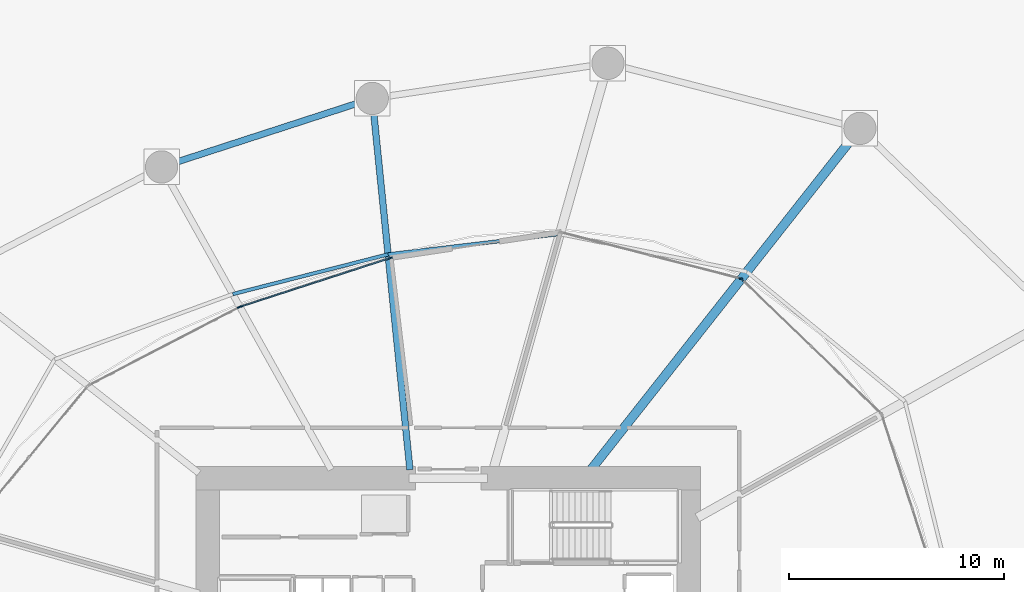
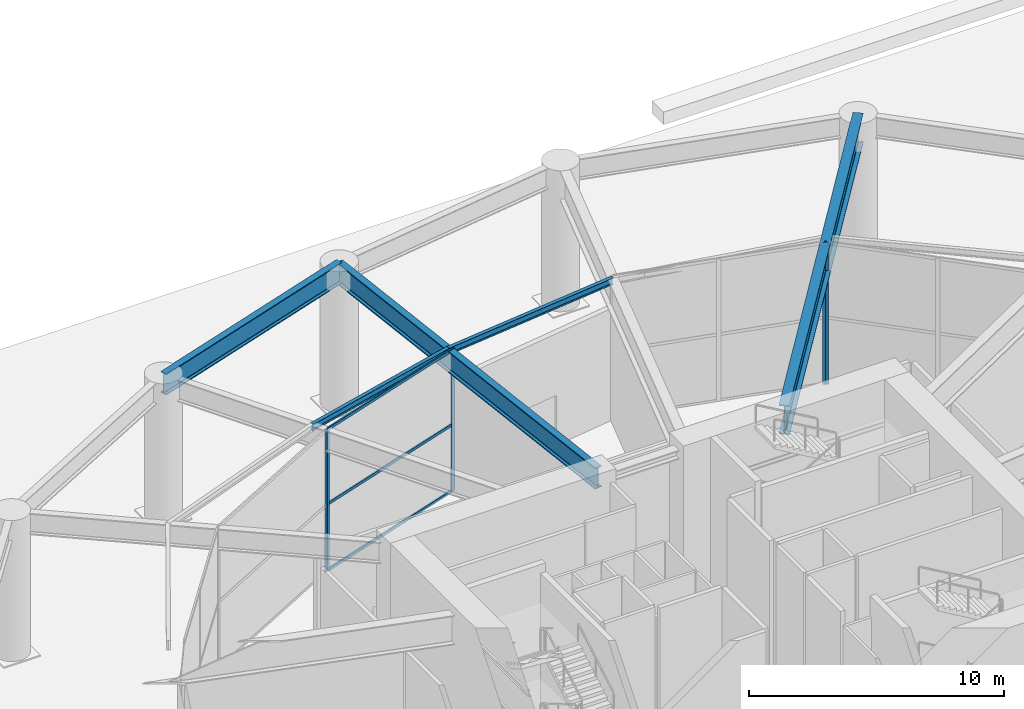
# One storey, part 12 of 28: 8 members, 5 beams, 4 elements without a shape of their own.
"""IFC4 building model written with IfcOpenShell, lengths in metres."""

from ifc_helpers import new_model, si_unit, direction, frame, origin, origin_2d, place, context, subcontext, project, spatial, rectangle, i_section, extrude, material, layer, layer_set, material_profile, profile_set, type_object, element, aggregate, save


model = new_model("IFC4")

# Units and contexts
model_context = context("Model", 3, precision=1e-05, world=origin(), true_north=direction((0.0, 1.0)))
body_context = subcontext(model_context, "Body", "Model", "MODEL_VIEW")
ifc_project = project(units=[si_unit("LENGTHUNIT", "METRE"), si_unit("AREAUNIT", "SQUARE_METRE"), si_unit("VOLUMEUNIT", "CUBIC_METRE"), si_unit("PLANEANGLEUNIT", "RADIAN"), si_unit("MASSUNIT", "GRAM", prefix="KILO")], contexts=[model_context])

# Site, building, storey
site_placement = place(None, origin())
site = spatial("IfcSite", under=ifc_project, at=site_placement, CompositionType="ELEMENT")
building_placement = place(site_placement, origin())
building = spatial("IfcBuilding", under=site, at=building_placement, Name="Kazma Halo Residences", CompositionType="ELEMENT")
storey_placement = place(building_placement, origin())
storey = spatial("IfcBuildingStorey", under=building, at=storey_placement, Name="L00", CompositionType="ELEMENT", Elevation=0.0)

# Beams
ifc_material_1 = material(Name="Steel S355", Category="steel")
ifc_material_profile_1 = material_profile(ifc_material_1, i_section(OverallWidth=0.1650390625, OverallDepth=0.31005859375, WebThickness=0.005859375, FlangeThickness=0.009765625, FilletRadius=0.011962890625, at=origin_2d()), Name="W310x38.7")
ifc_profile_set_1 = profile_set([ifc_material_profile_1], Name="Steel S355")
beam_type_1 = type_object("IfcBeamType", Name="BM-SEC-W310B", PredefinedType="JOIST", material=ifc_profile_set_1)
beam_1_placement = place(storey_placement, frame((53.61279296875, 61.901123046875, 6.64501953125), z_axis=(-0.993006946192, -0.118055939346, 0.0), x_axis=(0.118055939346, -0.993006946192, 0.0)))
element("IfcBeam", 1, at=beam_1_placement, inside=storey, type_object=beam_type_1, Name="L00 circumferential floor joist 03", PredefinedType="JOIST", context=body_context, shape_type="SweptSolid", body=[
    extrude(i_section(OverallWidth=0.1650390625, OverallDepth=0.31005859375, WebThickness=0.005859375, FlangeThickness=0.009765625, FilletRadius=0.011962890625, at=origin_2d()), origin(), (0.0, 0.0, 1.0), 8.0341796875),
])
beam_2_placement = place(storey_placement, frame((45.634765625, 60.95263671875, 6.64501953125), z_axis=(-0.968838753185, -0.247692289598, 0.0), x_axis=(0.247692289598, -0.968838753185, 0.0)))
element("IfcBeam", 2, at=beam_2_placement, inside=storey, type_object=beam_type_1, Name="L00 circumferential floor joist 04", PredefinedType="JOIST", context=body_context, shape_type="SweptSolid", body=[
    extrude(i_section(OverallWidth=0.1650390625, OverallDepth=0.31005859375, WebThickness=0.005859375, FlangeThickness=0.009765625, FilletRadius=0.011962890625, at=origin_2d()), origin(), (0.0, 0.0, 1.0), 7.44775390625),
])
ifc_material_profile_2 = material_profile(ifc_material_1, i_section(OverallWidth=0.419921875, OverallDepth=1.39990234375, WebThickness=0.02587890625, FlangeThickness=0.048095703125, FilletRadius=0.02392578125, at=origin_2d()), Name="PG1400x580")
ifc_profile_set_2 = profile_set([ifc_material_profile_2], Name="Steel S355")
beam_type_2 = type_object("IfcBeamType", Name="BM-TRANS-PG1400", PredefinedType="BEAM", material=ifc_profile_set_2)
beam_3_placement = place(storey_placement, frame((55.0556640625, 50.949951171875, 6.10009765625), z_axis=(0.619089277374, 0.785320613915, 0.0), x_axis=(-0.785320613915, 0.619089277374, 0.0)))
element("IfcBeam", 3, at=beam_3_placement, inside=storey, type_object=beam_type_2, Name="L00 lobe radial plate transfer girder 02", PredefinedType="BEAM", context=body_context, shape_type="SweptSolid", body=[
    extrude(i_section(OverallWidth=0.419921875, OverallDepth=1.39990234375, WebThickness=0.02587890625, FlangeThickness=0.048095703125, FilletRadius=0.02392578125, at=origin_2d()), origin(), (0.0, 0.0, 1.0), 20.18701171875),
])
ifc_material_profile_3 = material_profile(ifc_material_1, i_section(OverallWidth=0.302001953125, OverallDepth=1.01806640625, WebThickness=0.021484375, FlangeThickness=0.049072265625, FilletRadius=0.028076171875, at=origin_2d()), Name="W1000x443")
ifc_profile_set_3 = profile_set([ifc_material_profile_3], Name="Steel S355")
beam_type_3 = type_object("IfcBeamType", Name="BM-TRANS-W1000A", PredefinedType="BEAM", material=ifc_profile_set_3)
beam_4_placement = place(storey_placement, frame((46.64990234375, 50.949951171875, 6.291015625), z_axis=(-0.100981723867, 0.994888280886, 0.0), x_axis=(-0.994888280886, -0.100981723867, 0.0)))
element("IfcBeam", 4, at=beam_4_placement, inside=storey, type_object=beam_type_3, Name="L00 podium radial transfer girder 04", PredefinedType="BEAM", context=body_context, shape_type="SweptSolid", body=[
    extrude(i_section(OverallWidth=0.302001953125, OverallDepth=1.01806640625, WebThickness=0.021484375, FlangeThickness=0.049072265625, FilletRadius=0.028076171875, at=origin_2d()), origin(), (0.0, 0.0, 1.0), 17.334716796875),
])
ifc_material_profile_4 = material_profile(ifc_material_1, i_section(OverallWidth=0.300048828125, OverallDepth=1.0, WebThickness=0.01904296875, FlangeThickness=0.0400390625, FilletRadius=0.02587890625, at=origin_2d()), Name="W1000x371")
ifc_profile_set_4 = profile_set([ifc_material_profile_4], Name="Steel S355")
beam_type_4 = type_object("IfcBeamType", Name="BM-TRANS-W1000B", PredefinedType="BEAM", material=ifc_profile_set_4)
beam_5_placement = place(storey_placement, frame((44.8994140625, 68.196044921875, 6.300048828125), z_axis=(-0.951061083857, -0.309002936511, 0.0), x_axis=(0.309002936511, -0.951061083857, 0.0)))
element("IfcBeam", 5, at=beam_5_placement, inside=storey, type_object=beam_type_4, Name="L00 perimeter ring beam 04", PredefinedType="BEAM", context=body_context, shape_type="SweptSolid", body=[
    extrude(i_section(OverallWidth=0.300048828125, OverallDepth=1.0, WebThickness=0.01904296875, FlangeThickness=0.0400390625, FilletRadius=0.02587890625, at=origin_2d()), origin(), (0.0, 0.0, 1.0), 10.29248046875),
])

# Curtain wall, member
ifc_material_2 = material(Name="Aluminium AW-6063 T6 and Triple-Silver Low-E Glass", Category="aluminium")
ifc_layer = layer(ifc_material_2, 0.179931640625)
ifc_layer_set = layer_set([ifc_layer], Name="Aluminium AW-6063 T6 and Triple-Silver Low-E Glass")
curtain_wall_type = type_object("IfcCurtainWallType", Name="CW-SYS-1", PredefinedType="NOTDEFINED", material=ifc_layer_set)
curtain_wall_1_placement = place(storey_placement, origin())
curtain_wall_1 = element("IfcCurtainWall", 6, at=curtain_wall_1_placement, inside=storey, type_object=curtain_wall_type, Name="L00 lobby unitised curtain wall 01", PredefinedType="NOTDEFINED")
ifc_material_3 = material(Name="Aluminium AW-6063 T6", Category="aluminium")
ifc_material_profile_5 = material_profile(ifc_material_3, rectangle(XDim=0.06494140625, YDim=0.179931640625, at=origin_2d()), Name="CWM-65x180")
ifc_profile_set_5 = profile_set([ifc_material_profile_5], Name="Aluminium AW-6063 T6")
member_type_1 = type_object("IfcMemberType", Name="CW-SYS-1-MUL", PredefinedType="MULLION", material=ifc_profile_set_5)
member_1_placement = place(storey_placement, frame((62.068359375, 59.79345703125, 0.0), z_axis=(0.0, 0.0, 1.0), x_axis=(-0.694293926432, -0.719691561517, 0.0)))
member_1 = element("IfcMember", 7, at=member_1_placement, type_object=member_type_1, Name="CWS-1 mullion 3", PredefinedType="MULLION", context=body_context, shape_type="SweptSolid", body=[
    extrude(rectangle(XDim=0.06494140625, YDim=0.179931640625, at=origin_2d()), origin(), (0.0, 0.0, 1.0), 6.800048828125),
])
aggregate(curtain_wall_1, [member_1])

curtain_wall_2_placement = place(storey_placement, origin())
curtain_wall_2 = element("IfcCurtainWall", 8, at=curtain_wall_2_placement, inside=storey, type_object=curtain_wall_type, Name="L00 lobby unitised curtain wall 02", PredefinedType="NOTDEFINED")
member_2_placement = place(storey_placement, frame((62.013427734375, 59.823974609375, 0.0), z_axis=(0.0, 0.0, 1.0), x_axis=(-0.24934686039, -0.968414241538, 0.0)))
member_2 = element("IfcMember", 9, at=member_2_placement, type_object=member_type_1, Name="CWS-1 mullion 1", PredefinedType="MULLION", context=body_context, shape_type="SweptSolid", body=[
    extrude(rectangle(XDim=0.06494140625, YDim=0.179931640625, at=origin_2d()), origin(), (0.0, 0.0, 1.0), 6.800048828125),
])
aggregate(curtain_wall_2, [member_2])

# Curtain wall, members
curtain_wall_3_placement = place(storey_placement, origin())
curtain_wall_3 = element("IfcCurtainWall", 10, at=curtain_wall_3_placement, inside=storey, type_object=curtain_wall_type, Name="L00 lobby unitised curtain wall 04", PredefinedType="NOTDEFINED")
member_3_placement = place(storey_placement, frame((45.744384765625, 60.786865234375, 0.0), z_axis=(0.0, 0.0, 1.0), x_axis=(0.30902055074, -0.951055360755, 0.0)))
member_3 = element("IfcMember", 11, at=member_3_placement, type_object=member_type_1, Name="CWS-1 mullion 1", PredefinedType="MULLION", context=body_context, shape_type="SweptSolid", body=[
    extrude(rectangle(XDim=0.06494140625, YDim=0.179931640625, at=origin_2d()), origin(), (0.0, 0.0, 1.0), 6.800048828125),
])
member_4_placement = place(storey_placement, frame((38.7822265625, 58.524658203125, 0.0), z_axis=(0.0, 0.0, 1.0), x_axis=(0.30902055074, -0.951055360755, 0.0)))
member_4 = element("IfcMember", 12, at=member_4_placement, type_object=member_type_1, Name="CWS-1 mullion 2", PredefinedType="MULLION", context=body_context, shape_type="SweptSolid", body=[
    extrude(rectangle(XDim=0.06494140625, YDim=0.179931640625, at=origin_2d()), origin(), (0.0, 0.0, 1.0), 6.800048828125),
])

# Curtain wall, member
curtain_wall_4_placement = place(storey_placement, origin())
curtain_wall_4 = element("IfcCurtainWall", 13, at=curtain_wall_4_placement, inside=storey, type_object=curtain_wall_type, Name="L00 lobby unitised curtain wall 05", PredefinedType="NOTDEFINED")
member_5_placement = place(storey_placement, frame((38.72265625, 58.499755859375, 0.0), z_axis=(0.0, 0.0, 1.0), x_axis=(0.460683971456, -0.887564239052, 0.0)))
member_5 = element("IfcMember", 14, at=member_5_placement, type_object=member_type_1, Name="CWS-1 mullion 1", PredefinedType="MULLION", context=body_context, shape_type="SweptSolid", body=[
    extrude(rectangle(XDim=0.06494140625, YDim=0.179931640625, at=origin_2d()), origin(), (0.0, 0.0, 1.0), 6.800048828125),
])
aggregate(curtain_wall_4, [member_5])

# Member
ifc_material_profile_6 = material_profile(ifc_material_3, rectangle(XDim=0.06494140625, YDim=0.135009765625, at=origin_2d()), Name="CWT-65x135")
ifc_profile_set_6 = profile_set([ifc_material_profile_6], Name="Aluminium AW-6063 T6")
member_type_2 = type_object("IfcMemberType", Name="CW-SYS-1-TRN", PredefinedType="USERDEFINED", material=ifc_profile_set_6)
member_6_placement = place(storey_placement, frame((45.71337890625, 60.77685546875, 0.032470703125), z_axis=(-0.951048657561, -0.309041180025, 0.0), x_axis=(0.309041180025, -0.951048657561, 0.0)))
member_6 = element("IfcMember", 15, at=member_6_placement, type_object=member_type_2, Name="CWS-1 transom 1.1", ObjectType="TRANSOM", PredefinedType="USERDEFINED", context=body_context, shape_type="SweptSolid", body=[
    extrude(rectangle(XDim=0.06494140625, YDim=0.135009765625, at=origin_2d()), origin(), (0.0, 0.0, 1.0), 7.25537109375),
])

member_7_placement = place(storey_placement, frame((45.71337890625, 60.77685546875, 3.199951171875), z_axis=(-0.951048657561, -0.309041180025, 0.0), x_axis=(0.309041180025, -0.951048657561, 0.0)))
member_7 = element("IfcMember", 16, at=member_7_placement, type_object=member_type_2, Name="CWS-1 transom 1.2", ObjectType="TRANSOM", PredefinedType="USERDEFINED", context=body_context, shape_type="SweptSolid", body=[
    extrude(rectangle(XDim=0.06494140625, YDim=0.135009765625, at=origin_2d()), origin(), (0.0, 0.0, 1.0), 7.25537109375),
])

member_8_placement = place(storey_placement, frame((45.71337890625, 60.77685546875, 6.767578125), z_axis=(-0.951048657561, -0.309041180025, 0.0), x_axis=(0.309041180025, -0.951048657561, 0.0)))
member_8 = element("IfcMember", 17, at=member_8_placement, type_object=member_type_2, Name="CWS-1 transom 1.3", ObjectType="TRANSOM", PredefinedType="USERDEFINED", context=body_context, shape_type="SweptSolid", body=[
    extrude(rectangle(XDim=0.06494140625, YDim=0.135009765625, at=origin_2d()), origin(), (0.0, 0.0, 1.0), 7.25537109375),
])

aggregate(curtain_wall_3, [member_3, member_4, member_6, member_7, member_8])

save(model, "model.ifc")
